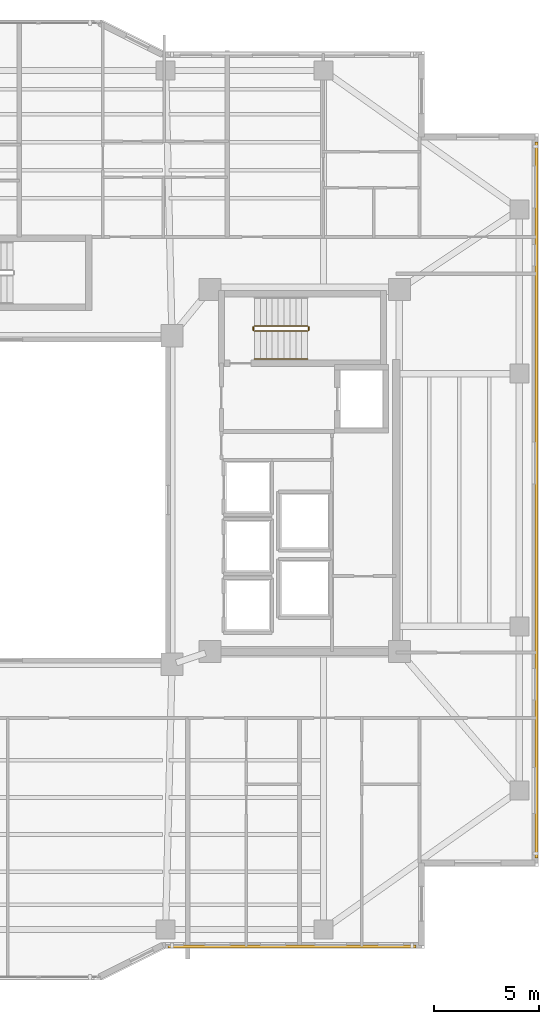
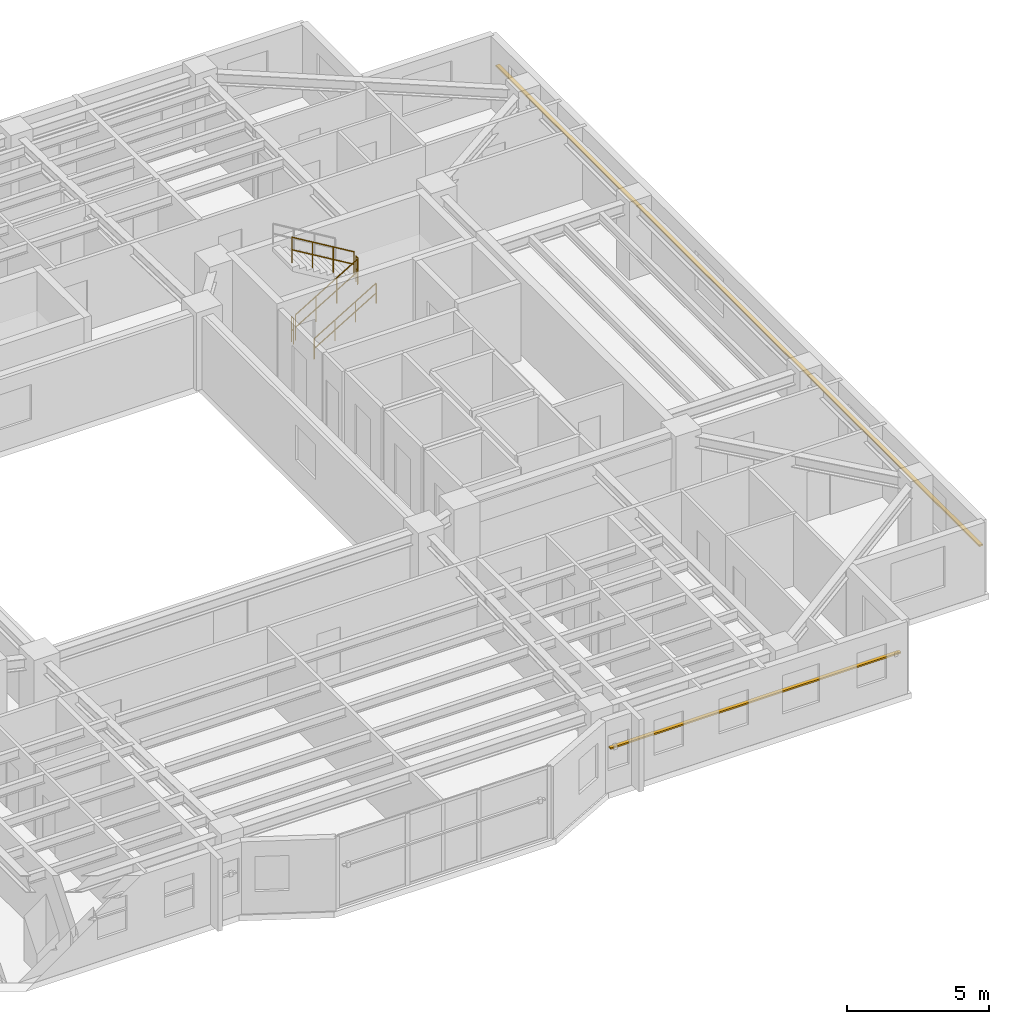
# One storey, part 15 of 16: 5 railings, 2 shading devices.
"""IFC4 building model written with IfcOpenShell, lengths in metres."""

from ifc_helpers import new_model, si_unit, direction, frame, origin, origin_2d, place, context, subcontext, project, spatial, rectangle, circle, extrude, material, material_profile, profile_set, type_object, element, save


model = new_model("IFC4")

# Units and contexts
model_context = context("Model", 3, precision=1e-05, world=origin(), true_north=direction((0.0, 1.0)))
body_context = subcontext(model_context, "Body", "Model", "MODEL_VIEW")
ifc_project = project(units=[si_unit("LENGTHUNIT", "METRE"), si_unit("AREAUNIT", "SQUARE_METRE"), si_unit("VOLUMEUNIT", "CUBIC_METRE"), si_unit("PLANEANGLEUNIT", "RADIAN"), si_unit("MASSUNIT", "GRAM", prefix="KILO")], contexts=[model_context])

# Site, building, storey
site_placement = place(None, origin())
site = spatial("IfcSite", under=ifc_project, at=site_placement, CompositionType="ELEMENT")
building_placement = place(site_placement, origin())
building = spatial("IfcBuilding", under=site, at=building_placement, Name="Tarnavaz Court Tower", CompositionType="ELEMENT")
storey_placement = place(building_placement, frame((0.0, 0.0, 156.050048828125)))
storey = spatial("IfcBuildingStorey", under=building, at=storey_placement, Name="L42", CompositionType="ELEMENT", Elevation=156.050048828125)

# Railings
ifc_material_1 = material(Name="Brushed Stainless Steel", Category="steel")
railing_type_1 = type_object("IfcRailingType", Name="RL-HANDRAIL-900", PredefinedType="HANDRAIL", material=ifc_material_1)
railing_1_placement = place(storey_placement, frame((11.719970703125, 6.699951171875, 0.16748046875)))
element("IfcRailing", 1, at=railing_1_placement, inside=storey, type_object=railing_type_1, Name="L42 ST-E1 stair handrail 1", PredefinedType="HANDRAIL", context=body_context, shape_type="SweptSolid", body=[
    extrude(circle(Radius=0.02392578125, at=origin_2d()), frame((0.0, 0.0, 0.8759765625), z_axis=(0.858159760407, 0.0, 0.513382728203), x_axis=(0.0, 1.0, 0.0)), (0.0, 0.0, 1.0), 2.9365234375),
    extrude(circle(Radius=0.02392578125, at=origin_2d()), frame((0.0, 0.0, 0.449951171875), z_axis=(0.858159760407, 0.0, 0.513382728203), x_axis=(0.0, 1.0, 0.0)), (0.0, 0.0, 1.0), 2.9365234375),
    extrude(circle(Radius=0.02099609375, at=origin_2d()), origin(), (0.0, 0.0, 1.0), 0.851806640625),
    extrude(circle(Radius=0.02099609375, at=origin_2d()), frame((0.840087890625, 0.0, 0.50244140625)), (0.0, 0.0, 1.0), 0.851806640625),
    extrude(circle(Radius=0.02099609375, at=origin_2d()), frame((1.679931640625, 0.0, 1.005126953125)), (0.0, 0.0, 1.0), 0.851806640625),
    extrude(circle(Radius=0.02099609375, at=origin_2d()), frame((2.52001953125, 0.0, 1.507568359375)), (0.0, 0.0, 1.0), 0.851806640625),
])
ifc_material_2 = material(Name="Galvanized Painted Tubular Steel", Category="steel")
railing_type_2 = type_object("IfcRailingType", Name="RL-STGUARD-1120", PredefinedType="GUARDRAIL", material=ifc_material_2)
railing_2_placement = place(storey_placement, frame((11.719970703125, 8.02001953125, 0.16748046875)))
element("IfcRailing", 2, at=railing_2_placement, inside=storey, type_object=railing_type_2, Name="L42 ST-E1 stair guard 1", PredefinedType="GUARDRAIL", context=body_context, shape_type="SweptSolid", body=[
    extrude(circle(Radius=0.02392578125, at=origin_2d()), frame((0.0, 0.0, 1.09619140625), z_axis=(0.858159760407, 0.0, 0.513382728203), x_axis=(0.0, 1.0, 0.0)), (0.0, 0.0, 1.0), 2.9365234375),
    extrude(circle(Radius=0.02392578125, at=origin_2d()), frame((0.0, 0.0, 0.56005859375), z_axis=(0.858159760407, 0.0, 0.513382728203), x_axis=(0.0, 1.0, 0.0)), (0.0, 0.0, 1.0), 2.9365234375),
    extrude(circle(Radius=0.02099609375, at=origin_2d()), origin(), (0.0, 0.0, 1.0), 1.072021484375),
    extrude(circle(Radius=0.02099609375, at=origin_2d()), frame((0.840087890625, 0.0, 0.50244140625)), (0.0, 0.0, 1.0), 1.072021484375),
    extrude(circle(Radius=0.02099609375, at=origin_2d()), frame((1.679931640625, 0.0, 1.005126953125)), (0.0, 0.0, 1.0), 1.072021484375),
    extrude(circle(Radius=0.02099609375, at=origin_2d()), frame((2.52001953125, 0.0, 1.507568359375)), (0.0, 0.0, 1.0), 1.072021484375),
])
railing_3_placement = place(storey_placement, frame((14.2900390625, 8.070068359375, 1.675048828125)))
element("IfcRailing", 3, at=railing_3_placement, inside=storey, type_object=railing_type_2, Name="L42 ST-E1 stair guard 2", PredefinedType="GUARDRAIL", context=body_context, shape_type="SweptSolid", body=[
    extrude(circle(Radius=0.02392578125, at=origin_2d()), frame((0.0, 0.0, 1.09619140625), z_axis=(0.0, 1.0, 0.0), x_axis=(-1.0, 0.0, 0.0)), (0.0, 0.0, 1.0), 0.14990234375),
    extrude(circle(Radius=0.02392578125, at=origin_2d()), frame((0.0, 0.0, 0.56005859375), z_axis=(0.0, 1.0, 0.0), x_axis=(-1.0, 0.0, 0.0)), (0.0, 0.0, 1.0), 0.14990234375),
    extrude(circle(Radius=0.02099609375, at=origin_2d()), origin(), (0.0, 0.0, 1.0), 1.072021484375),
    extrude(circle(Radius=0.02099609375, at=origin_2d()), frame((0.0, 0.14990234375, 0.0)), (0.0, 0.0, 1.0), 1.072021484375),
])
railing_4_placement = place(storey_placement, frame((14.239990234375, 8.27001953125, 1.842529296875)))
element("IfcRailing", 4, at=railing_4_placement, inside=storey, type_object=railing_type_2, Name="L42 ST-E1 stair guard 3", PredefinedType="GUARDRAIL", context=body_context, shape_type="SweptSolid", body=[
    extrude(circle(Radius=0.02392578125, at=origin_2d()), frame((0.0, 0.0, 1.09619140625), z_axis=(-0.858196387827, 0.0, 0.513321497621), x_axis=(0.0, -1.0, 0.0)), (0.0, 0.0, 1.0), 2.9365234375),
    extrude(circle(Radius=0.02392578125, at=origin_2d()), frame((0.0, 0.0, 0.56005859375), z_axis=(-0.858196387827, 0.0, 0.513321497621), x_axis=(0.0, -1.0, 0.0)), (0.0, 0.0, 1.0), 2.9365234375),
    extrude(circle(Radius=0.02099609375, at=origin_2d()), origin(), (0.0, 0.0, 1.0), 1.072021484375),
    extrude(circle(Radius=0.02099609375, at=origin_2d()), frame((-0.840087890625, 0.0, 0.50244140625)), (0.0, 0.0, 1.0), 1.072021484375),
    extrude(circle(Radius=0.02099609375, at=origin_2d()), frame((-1.679931640625, 0.0, 1.0048828125)), (0.0, 0.0, 1.0), 1.072021484375),
    extrude(circle(Radius=0.02099609375, at=origin_2d()), frame((-2.52001953125, 0.0, 1.50732421875)), (0.0, 0.0, 1.0), 1.072021484375),
])
railing_5_placement = place(storey_placement, frame((11.669921875, 8.070068359375, 0.0)))
element("IfcRailing", 5, at=railing_5_placement, inside=storey, type_object=railing_type_2, Name="L42 ST-E1 stair guard 4", PredefinedType="GUARDRAIL", context=body_context, shape_type="SweptSolid", body=[
    extrude(circle(Radius=0.02392578125, at=origin_2d()), frame((0.0, 0.0, 1.09619140625), z_axis=(0.0, 1.0, 0.0), x_axis=(-1.0, 0.0, 0.0)), (0.0, 0.0, 1.0), 0.14990234375),
    extrude(circle(Radius=0.02392578125, at=origin_2d()), frame((0.0, 0.0, 0.56005859375), z_axis=(0.0, 1.0, 0.0), x_axis=(-1.0, 0.0, 0.0)), (0.0, 0.0, 1.0), 0.14990234375),
    extrude(circle(Radius=0.02099609375, at=origin_2d()), origin(), (0.0, 0.0, 1.0), 1.072021484375),
    extrude(circle(Radius=0.02099609375, at=origin_2d()), frame((0.0, 0.14990234375, 0.0)), (0.0, 0.0, 1.0), 1.072021484375),
])

# Shading devices
ifc_material_3 = material(Name="Kiln-Fired Khorasan Terracotta Ceramic", Category="masonry")
ifc_material_profile = material_profile(ifc_material_3, rectangle(XDim=0.14990234375, YDim=0.06494140625, at=origin_2d()), Name="TC BAGUETTE 150X65")
ifc_profile_set = profile_set([ifc_material_profile], Name="Kiln-Fired Khorasan Terracotta Ceramic")
shading_device_type = type_object("IfcShadingDeviceType", Name="SD-BAG-150", PredefinedType="USERDEFINED", material=ifc_profile_set)
shading_device_1_placement = place(storey_placement, frame((25.110107421875, 17.0, 1.849853515625), z_axis=(0.0, -1.0, 0.0), x_axis=(1.0, 0.0, 0.0)))
element("IfcShadingDevice", 6, at=shading_device_1_placement, inside=storey, type_object=shading_device_type, Name="L42 Terracotta Baguette Screen FBG12", ObjectType="BAGUETTE", PredefinedType="USERDEFINED", context=body_context, shape_type="SweptSolid", body=[
    extrude(rectangle(XDim=0.14990234375, YDim=0.06494140625, at=origin_2d()), origin(), (0.0, 0.0, 1.0), 34.0),
])
shading_device_2_placement = place(storey_placement, frame((19.39990234375, -21.2099609375, 1.849853515625), z_axis=(-1.0, 0.0, 0.0), x_axis=(0.0, -1.0, 0.0)))
element("IfcShadingDevice", 7, at=shading_device_2_placement, inside=storey, type_object=shading_device_type, Name="L42 Terracotta Baguette Screen FBG15", ObjectType="BAGUETTE", PredefinedType="USERDEFINED", context=body_context, shape_type="SweptSolid", body=[
    extrude(rectangle(XDim=0.14990234375, YDim=0.06494140625, at=origin_2d()), origin(), (0.0, 0.0, 1.0), 11.7998046875),
])

save(model, "model.ifc")
